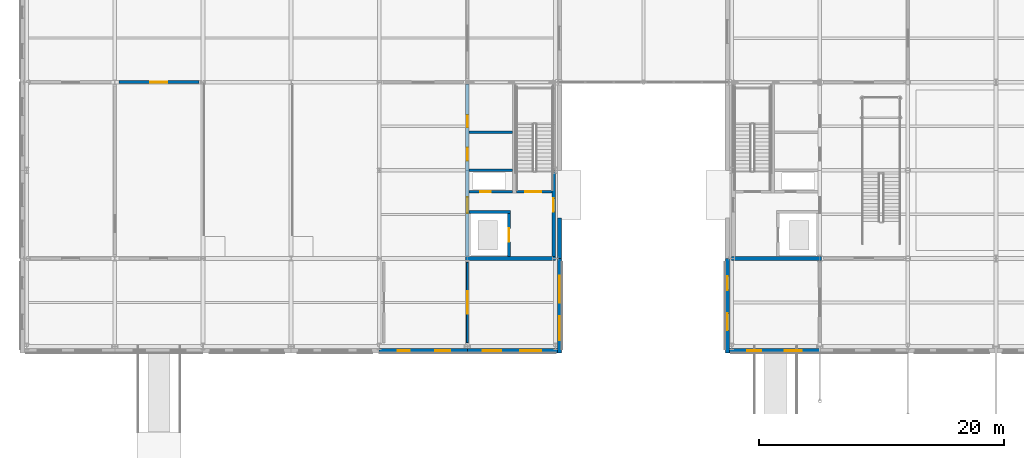
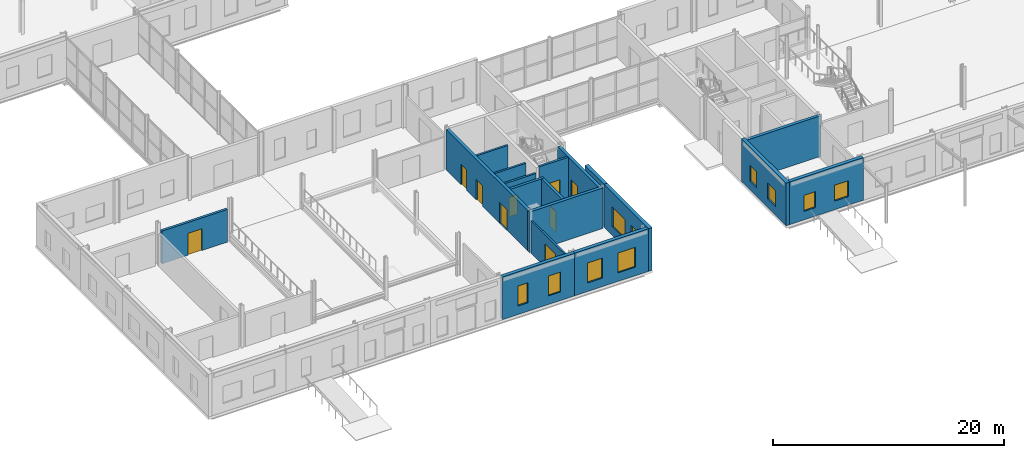
# One storey, part 54 of 92: 18 walls, 10 windows, 9 doors, 19 openings.
"""IFC4 building model written with IfcOpenShell, lengths in metres."""

from ifc_helpers import new_model, si_unit, direction, frame, frame_2d, origin, place, context, subcontext, project, spatial, rectangle, extrude, material, layer, layer_set, type_object, element, fill, save


model = new_model("IFC4")

# Units and contexts
model_context = context("Model", 3, precision=1e-05, world=origin(), true_north=direction((0.0, 1.0)))
body_context = subcontext(model_context, "Body", "Model", "MODEL_VIEW")
ifc_project = project(units=[si_unit("LENGTHUNIT", "METRE"), si_unit("AREAUNIT", "SQUARE_METRE"), si_unit("VOLUMEUNIT", "CUBIC_METRE"), si_unit("PLANEANGLEUNIT", "RADIAN"), si_unit("MASSUNIT", "GRAM", prefix="KILO")], contexts=[model_context])

# Site, building, storey
site_placement = place(None, origin())
site = spatial("IfcSite", under=ifc_project, at=site_placement, CompositionType="ELEMENT")
building_placement = place(site_placement, origin())
building = spatial("IfcBuilding", under=site, at=building_placement, Name="Zlatovets Crest Museum", CompositionType="ELEMENT")
storey_placement = place(building_placement, origin())
storey = spatial("IfcBuildingStorey", under=building, at=storey_placement, Name="L00", CompositionType="ELEMENT", Elevation=0.0)

# Walls
ifc_material_1 = material(Name="Concrete C35/45", Category="concrete")
ifc_layer_1 = layer(ifc_material_1, 0.300048828125)
ifc_layer_set_1 = layer_set([ifc_layer_1], Name="Concrete C35/45")
wall_type_1 = type_object("IfcWallType", Name="CoreWall_SW01", PredefinedType="SHEAR", material=ifc_layer_set_1)
for number, where, z_axis, x_axis, name in (
    (1, (57.60009765625, 7.199951171875, 0.0), (0.0, 0.0, 1.0), (1.0, 0.0, 0.0), "Core C2 L00 South Shear Wall"),
    (2, (35.85009765625, 7.199951171875, 0.0), (0.0, 0.0, 1.0), (1.0, 0.0, 0.0), "Core C3 L00 South Shear Wall"),
):
    element("IfcWall", number, at=place(storey_placement, frame(where, z_axis=z_axis, x_axis=x_axis)), inside=storey, type_object=wall_type_1, Name=name, PredefinedType="SHEAR", context=body_context, shape_type="SweptSolid", body=[
        extrude(rectangle(XDim=7.349853515625, YDim=0.300048828125, at=frame_2d((3.6748046875, 0.0))), origin(), (0.0, 0.0, 1.0), 4.280029296875),
    ])

# Wall, opening, door
wall_1_placement = place(storey_placement, frame((43.050048828125, 7.35009765625, 0.0), z_axis=(0.0, 0.0, 1.0), x_axis=(0.0, 1.0, 0.0)))
wall_1 = element("IfcWall", 3, at=wall_1_placement, inside=storey, type_object=wall_type_1, Name="Core C3 L00 Protected Lobby Exterior Shear Wall", PredefinedType="SHEAR", context=body_context, shape_type="SweptSolid", body=[
    extrude(rectangle(XDim=7.0498046875, YDim=0.300048828125, at=frame_2d((3.52490234375, 0.0))), origin(), (0.0, 0.0, 1.0), 4.280029296875),
])
opening_1_placement = place(wall_1_placement, frame((3.64990234375, 0.0, 0.0)))
opening_1 = element("IfcOpeningElement", 4, at=opening_1_placement, cuts=wall_1, Name="Opening ED-03", PredefinedType="OPENING", context=body_context, shape_type="SweptSolid", body=[
    extrude(rectangle(XDim=1.10009765625, YDim=2.199951171875, at=frame_2d((0.550048828125, 1.10009765625))), frame((0.0, 0.16015625, 0.0), z_axis=(0.0, -1.0, 0.0), x_axis=(1.0, 0.0, 0.0)), (0.0, 0.0, 1.0), 0.320068359375),
])
ifc_material_2 = material(Name="Bronze-clad insulated steel door", Category="steel")
door_type_1 = type_object("IfcDoorType", Name="ExtDoor_ED-03", OperationType="NOTDEFINED", PredefinedType="DOOR", material=ifc_material_2)
door_1_placement = place(opening_1_placement, origin())
door_1 = element("IfcDoor", 5, at=door_1_placement, inside=storey, type_object=door_type_1, Name="ED-ST3-EXIT Stair ST3 Direct Final Exterior Exit Door", OperationType="SINGLE_SWING_LEFT", OverallHeight=2.199951171875, OverallWidth=1.10009765625, PredefinedType="DOOR", context=body_context, shape_type="SweptSolid", body=[
    extrude(rectangle(XDim=1.10009765625, YDim=2.199951171875, at=frame_2d((0.550048828125, 1.10009765625))), frame((0.0, 0.02490234375, 0.0), z_axis=(0.0, -1.0, 0.0), x_axis=(1.0, 0.0, 0.0)), (0.0, 0.0, 1.0), 0.050048828125),
])
fill(opening_1, door_1)

# Wall, openings, doors
wall_2_placement = place(storey_placement, frame((36.0, 7.35009765625, 0.0), z_axis=(0.0, 0.0, 1.0), x_axis=(0.0, 1.0, 0.0)))
wall_2 = element("IfcWall", 6, at=wall_2_placement, inside=storey, type_object=wall_type_1, Name="Core C3 L00 Spine Shear Wall", PredefinedType="SHEAR", context=body_context, shape_type="SweptSolid", body=[
    extrude(rectangle(XDim=14.099853515625, YDim=0.300048828125, at=frame_2d((7.0498046875, 0.0))), origin(), (0.0, 0.0, 1.0), 4.280029296875),
])
opening_2_placement = place(wall_2_placement, frame((3.550048828125, 0.0, 0.0)))
opening_2 = element("IfcOpeningElement", 7, at=opening_2_placement, cuts=wall_2, Name="Opening FD-01", PredefinedType="OPENING", context=body_context, shape_type="SweptSolid", body=[
    extrude(rectangle(XDim=1.300048828125, YDim=2.199951171875, at=frame_2d((0.64990234375, 1.10009765625))), frame((0.0, 0.16015625, 0.0), z_axis=(0.0, -1.0, 0.0), x_axis=(1.0, 0.0, 0.0)), (0.0, 0.0, 1.0), 0.320068359375),
])
opening_3_placement = place(wall_2_placement, frame((7.85009765625, 0.0, 0.0)))
opening_3 = element("IfcOpeningElement", 8, at=opening_3_placement, cuts=wall_2, Name="Opening ID-02", PredefinedType="OPENING", context=body_context, shape_type="SweptSolid", body=[
    extrude(rectangle(XDim=1.050048828125, YDim=2.14990234375, at=frame_2d((0.52490234375, 1.074951171875))), frame((0.0, 0.16015625, 0.0), z_axis=(0.0, -1.0, 0.0), x_axis=(1.0, 0.0, 0.0)), (0.0, 0.0, 1.0), 0.320068359375),
])
opening_4_placement = place(wall_2_placement, frame((10.550048828125, 0.0, 0.0)))
opening_4 = element("IfcOpeningElement", 9, at=opening_4_placement, cuts=wall_2, Name="Opening ID-01", PredefinedType="OPENING", context=body_context, shape_type="SweptSolid", body=[
    extrude(rectangle(XDim=1.0, YDim=2.14990234375, at=frame_2d((0.5, 1.074951171875))), frame((0.0, 0.16015625, 0.0), z_axis=(0.0, -1.0, 0.0), x_axis=(1.0, 0.0, 0.0)), (0.0, 0.0, 1.0), 0.320068359375),
])
ifc_material_3 = material(Name="Smoke-sealed steel fire door", Category="steel")
door_type_2 = type_object("IfcDoorType", Name="IntDoor_FD-01", OperationType="NOTDEFINED", PredefinedType="DOOR", material=ifc_material_3)
door_2_placement = place(opening_2_placement, origin())
door_2 = element("IfcDoor", 10, at=door_2_placement, inside=storey, type_object=door_type_2, Name="CDOOR-C3-L00-LOB Core C3 L00 Lobby Fire Door", OperationType="SINGLE_SWING_RIGHT", OverallHeight=2.199951171875, OverallWidth=1.300048828125, PredefinedType="DOOR", context=body_context, shape_type="SweptSolid", body=[
    extrude(rectangle(XDim=1.300048828125, YDim=2.199951171875, at=frame_2d((0.64990234375, 1.10009765625))), frame((0.0, 0.02490234375, 0.0), z_axis=(0.0, -1.0, 0.0), x_axis=(1.0, 0.0, 0.0)), (0.0, 0.0, 1.0), 0.050048828125),
])
fill(opening_2, door_2)
ifc_material_4 = material(Name="Solid oak museum room door")
door_type_3 = type_object("IfcDoorType", Name="IntDoor_ID-01", OperationType="NOTDEFINED", PredefinedType="DOOR", material=ifc_material_4)
door_3_placement = place(opening_4_placement, origin())
door_3 = element("IfcDoor", 11, at=door_3_placement, inside=storey, type_object=door_type_3, Name="CDOOR-C3-L00-WC Core C3 L00 Public Restroom Door", OperationType="SINGLE_SWING_RIGHT", OverallHeight=2.14990234375, OverallWidth=1.0, PredefinedType="DOOR", context=body_context, shape_type="SweptSolid", body=[
    extrude(rectangle(XDim=1.0, YDim=2.14990234375, at=frame_2d((0.5, 1.074951171875))), frame((0.0, 0.02490234375, 0.0), z_axis=(0.0, -1.0, 0.0), x_axis=(1.0, 0.0, 0.0)), (0.0, 0.0, 1.0), 0.050048828125),
])
fill(opening_4, door_3)
ifc_material_5 = material(Name="Accessible sanitary room door")
door_type_4 = type_object("IfcDoorType", Name="IntDoor_ID-02", OperationType="NOTDEFINED", PredefinedType="DOOR", material=ifc_material_5)
door_4_placement = place(opening_3_placement, origin())
door_4 = element("IfcDoor", 12, at=door_4_placement, inside=storey, type_object=door_type_4, Name="CDOOR-C3-L00-AWC Core C3 L00 Accessible WC Door", OperationType="SINGLE_SWING_LEFT", OverallHeight=2.14990234375, OverallWidth=1.050048828125, PredefinedType="DOOR", context=body_context, shape_type="SweptSolid", body=[
    extrude(rectangle(XDim=1.050048828125, YDim=2.14990234375, at=frame_2d((0.52490234375, 1.074951171875))), frame((0.0, 0.02490234375, 0.0), z_axis=(0.0, -1.0, 0.0), x_axis=(1.0, 0.0, 0.0)), (0.0, 0.0, 1.0), 0.050048828125),
])
fill(opening_3, door_4)

# Wall, opening, door
ifc_layer_2 = layer(ifc_material_1, 0.25)
ifc_layer_set_2 = layer_set([ifc_layer_2], Name="Concrete C35/45")
wall_type_2 = type_object("IfcWallType", Name="CoreWall_SW02", PredefinedType="SHEAR", material=ifc_layer_set_2)
wall_3_placement = place(storey_placement, frame((39.39990234375, 7.35009765625, 0.0), z_axis=(0.0, 0.0, 1.0), x_axis=(0.0, 1.0, 0.0)))
wall_3 = element("IfcWall", 13, at=wall_3_placement, inside=storey, type_object=wall_type_2, Name="Core C3 L00 Lift Shaft Wall", PredefinedType="SHEAR", context=body_context, shape_type="SweptSolid", body=[
    extrude(rectangle(XDim=3.52490234375, YDim=0.25, at=frame_2d((1.762451171875, 0.0))), origin(), (0.0, 0.0, 1.0), 4.280029296875),
])
opening_5_placement = place(wall_3_placement, frame((1.199951171875, 0.0, 0.0)))
opening_5 = element("IfcOpeningElement", 14, at=opening_5_placement, cuts=wall_3, Name="Opening LD-01", PredefinedType="OPENING", context=body_context, shape_type="SweptSolid", body=[
    extrude(rectangle(XDim=1.10009765625, YDim=2.14990234375, at=frame_2d((0.550048828125, 1.074951171875))), frame((0.0, 0.135009765625, 0.0), z_axis=(0.0, -1.0, 0.0), x_axis=(1.0, 0.0, 0.0)), (0.0, 0.0, 1.0), 0.27001953125),
])
ifc_material_6 = material(Name="Stainless-bronze sliding lift landing door")
door_type_5 = type_object("IfcDoorType", Name="IntDoor_LD-01", OperationType="SLIDING_TO_LEFT", PredefinedType="DOOR", material=ifc_material_6)
door_5_placement = place(opening_5_placement, origin())
door_5 = element("IfcDoor", 15, at=door_5_placement, inside=storey, type_object=door_type_5, Name="LDOOR-PL1-L00 Lift PL1 L00 Sliding Landing Door", OperationType="SLIDING_TO_LEFT", OverallHeight=2.14990234375, OverallWidth=1.10009765625, PredefinedType="DOOR", context=body_context, shape_type="SweptSolid", body=[
    extrude(rectangle(XDim=1.10009765625, YDim=2.14990234375, at=frame_2d((0.550048828125, 1.074951171875))), frame((0.0, 0.02490234375, 0.0), z_axis=(0.0, -1.0, 0.0), x_axis=(1.0, 0.0, 0.0)), (0.0, 0.0, 1.0), 0.050048828125),
])
fill(opening_5, door_5)

wall_4_placement = place(storey_placement, frame((40.0, 12.64990234375, 0.0), z_axis=(0.0, 0.0, 1.0), x_axis=(1.0, 0.0, 0.0)))
wall_4 = element("IfcWall", 16, at=wall_4_placement, inside=storey, type_object=wall_type_2, Name="Core C3 L00 Stairwell Fire Wall", PredefinedType="SHEAR", context=body_context, shape_type="SweptSolid", body=[
    extrude(rectangle(XDim=2.89990234375, YDim=0.219970703125, at=frame_2d((1.449951171875, 0.0))), origin(), (0.0, 0.0, 1.0), 4.280029296875),
])
opening_6_placement = place(wall_4_placement, frame((0.75, 0.0, 0.0)))
opening_6 = element("IfcOpeningElement", 17, at=opening_6_placement, cuts=wall_4, Name="Opening FD-01", PredefinedType="OPENING", context=body_context, shape_type="SweptSolid", body=[
    extrude(rectangle(XDim=1.300048828125, YDim=2.199951171875, at=frame_2d((0.64990234375, 1.10009765625))), frame((0.0, 0.1201171875, 0.0), z_axis=(0.0, -1.0, 0.0), x_axis=(1.0, 0.0, 0.0)), (0.0, 0.0, 1.0), 0.239990234375),
])
door_6_placement = place(opening_6_placement, origin())
door_6 = element("IfcDoor", 18, at=door_6_placement, inside=storey, type_object=door_type_2, Name="SDOOR-ST3-L00 Stair ST3 L00 Fire Door", OperationType="SINGLE_SWING_LEFT", OverallHeight=2.199951171875, OverallWidth=1.300048828125, PredefinedType="DOOR", context=body_context, shape_type="SweptSolid", body=[
    extrude(rectangle(XDim=1.300048828125, YDim=2.199951171875, at=frame_2d((0.64990234375, 1.10009765625))), frame((0.0, 0.02490234375, 0.0), z_axis=(0.0, -1.0, 0.0), x_axis=(1.0, 0.0, 0.0)), (0.0, 0.0, 1.0), 0.050048828125),
])
fill(opening_6, door_6)

# Wall
wall_5_placement = place(storey_placement, frame((36.14990234375, 11.0, 0.0), z_axis=(0.0, 0.0, 1.0), x_axis=(1.0, 0.0, 0.0)))
element("IfcWall", 19, at=wall_5_placement, inside=storey, type_object=wall_type_2, Name="Core C3 L00 Lift Shaft North Shear Wall", PredefinedType="SHEAR", context=body_context, shape_type="SweptSolid", body=[
    extrude(rectangle(XDim=3.375, YDim=0.25, at=frame_2d((1.6875, 0.0))), origin(), (0.0, 0.0, 1.0), 4.280029296875),
])

# Wall, openings, windows
ifc_material_7 = material(Name="Vratsa limestone ashlar masonry and mineral wool", Category="masonry")
ifc_layer_3 = layer(ifc_material_7, 0.35009765625)
ifc_layer_set_3 = layer_set([ifc_layer_3], Name="Vratsa limestone ashlar masonry and mineral wool")
wall_type_3 = type_object("IfcWallType", Name="ExtWall_EW-01", PredefinedType="STANDARD", material=ifc_layer_set_3)
wall_6_placement = place(storey_placement, frame((57.43505859375, -0.340087890625, 0.0), z_axis=(0.0, 0.0, 1.0), x_axis=(1.0, 0.0, 0.0)))
wall_6 = element("IfcWall", 20, at=wall_6_placement, inside=storey, type_object=wall_type_3, Name="V2 L00 Vratsa Limestone Plinth Wall", PredefinedType="STANDARD", context=body_context, shape_type="SweptSolid", body=[
    extrude(rectangle(XDim=7.364990234375, YDim=0.35009765625, at=frame_2d((3.6826171875, 0.0))), origin(), (0.0, 0.0, 1.0), 4.5),
])
opening_7_placement = place(wall_6_placement, frame((1.44091796875, 0.0, 0.89990234375)))
opening_7 = element("IfcOpeningElement", 21, at=opening_7_placement, cuts=wall_6, Name="Opening WN-23", PredefinedType="OPENING", context=body_context, shape_type="SweptSolid", body=[
    extrude(rectangle(XDim=1.14990234375, YDim=1.679931640625, at=frame_2d((0.574951171875, 0.83984375))), frame((0.0, 0.18505859375, 0.0), z_axis=(0.0, -1.0, 0.0), x_axis=(1.0, 0.0, 0.0)), (0.0, 0.0, 1.0), 0.3701171875),
])
opening_8_placement = place(wall_6_placement, frame((4.489013671875, 0.0, 0.89990234375)))
opening_8 = element("IfcOpeningElement", 22, at=opening_8_placement, cuts=wall_6, Name="Opening WN-24", PredefinedType="OPENING", context=body_context, shape_type="SweptSolid", body=[
    extrude(rectangle(XDim=1.389892578125, YDim=1.679931640625, at=frame_2d((0.69482421875, 0.83984375))), frame((0.0, 0.18505859375, 0.0), z_axis=(0.0, -1.0, 0.0), x_axis=(1.0, 0.0, 0.0)), (0.0, 0.0, 1.0), 0.3701171875),
])
ifc_material_8 = material(Name="Bronze-anodised aluminium frame with low-E triple glass", Category="aluminium")
window_type_1 = type_object("IfcWindowType", Name="Win_WN-23", PartitioningType="SINGLE_PANEL", PredefinedType="WINDOW", material=ifc_material_8)
window_1_placement = place(opening_7_placement, origin())
window_1 = element("IfcWindow", 23, at=window_1_placement, inside=storey, type_object=window_type_1, Name="V2 L00 Secession Plinth Window WN-23", OverallHeight=1.679931640625, OverallWidth=1.14990234375, PartitioningType="SINGLE_PANEL", PredefinedType="WINDOW", context=body_context, shape_type="SweptSolid", body=[
    extrude(rectangle(XDim=1.14990234375, YDim=1.679931640625, at=frame_2d((0.574951171875, 0.83984375))), frame((0.0, 0.030029296875, 0.0), z_axis=(0.0, -1.0, 0.0), x_axis=(1.0, 0.0, 0.0)), (0.0, 0.0, 1.0), 0.06005859375),
])
fill(opening_7, window_1)
window_type_2 = type_object("IfcWindowType", Name="Win_WN-24", PartitioningType="SINGLE_PANEL", PredefinedType="WINDOW", material=ifc_material_8)
window_2_placement = place(opening_8_placement, origin())
window_2 = element("IfcWindow", 24, at=window_2_placement, inside=storey, type_object=window_type_2, Name="V2 L00 Secession Plinth Window WN-24", OverallHeight=1.679931640625, OverallWidth=1.389892578125, PartitioningType="SINGLE_PANEL", PredefinedType="WINDOW", context=body_context, shape_type="SweptSolid", body=[
    extrude(rectangle(XDim=1.389892578125, YDim=1.679931640625, at=frame_2d((0.69482421875, 0.83984375))), frame((0.0, 0.030029296875, 0.0), z_axis=(0.0, -1.0, 0.0), x_axis=(1.0, 0.0, 0.0)), (0.0, 0.0, 1.0), 0.06005859375),
])
fill(opening_8, window_2)

wall_7_placement = place(storey_placement, frame((57.260009765625, 7.199951171875, 0.0), z_axis=(0.0, 0.0, 1.0), x_axis=(0.0, -1.0, 0.0)))
wall_7 = element("IfcWall", 25, at=wall_7_placement, inside=storey, type_object=wall_type_3, Name="V2 L00 Vratsa Limestone Plinth Wall", PredefinedType="STANDARD", context=body_context, shape_type="SweptSolid", body=[
    extrude(rectangle(XDim=7.71484375, YDim=0.35009765625, at=frame_2d((3.857421875, 0.0))), origin(), (0.0, 0.0, 1.0), 4.5),
])
opening_9_placement = place(wall_7_placement, frame((1.44091796875, 0.0, 0.89990234375)))
opening_9 = element("IfcOpeningElement", 26, at=opening_9_placement, cuts=wall_7, Name="Opening WN-23", PredefinedType="OPENING", context=body_context, shape_type="SweptSolid", body=[
    extrude(rectangle(XDim=1.14990234375, YDim=1.679931640625, at=frame_2d((0.574951171875, 0.83984375))), frame((0.0, 0.18505859375, 0.0), z_axis=(0.0, -1.0, 0.0), x_axis=(1.0, 0.0, 0.0)), (0.0, 0.0, 1.0), 0.3701171875),
])
opening_10_placement = place(wall_7_placement, frame((4.489013671875, 0.0, 0.89990234375)))
opening_10 = element("IfcOpeningElement", 27, at=opening_10_placement, cuts=wall_7, Name="Opening WN-24", PredefinedType="OPENING", context=body_context, shape_type="SweptSolid", body=[
    extrude(rectangle(XDim=1.389892578125, YDim=1.679931640625, at=frame_2d((0.69482421875, 0.83984375))), frame((0.0, 0.18505859375, 0.0), z_axis=(0.0, -1.0, 0.0), x_axis=(1.0, 0.0, 0.0)), (0.0, 0.0, 1.0), 0.3701171875),
])
window_3_placement = place(opening_9_placement, origin())
window_3 = element("IfcWindow", 28, at=window_3_placement, inside=storey, type_object=window_type_1, Name="V2 L00 Secession Plinth Window WN-23", OverallHeight=1.679931640625, OverallWidth=1.14990234375, PartitioningType="SINGLE_PANEL", PredefinedType="WINDOW", context=body_context, shape_type="SweptSolid", body=[
    extrude(rectangle(XDim=1.14990234375, YDim=1.679931640625, at=frame_2d((0.574951171875, 0.83984375))), frame((0.0, 0.030029296875, 0.0), z_axis=(0.0, -1.0, 0.0), x_axis=(1.0, 0.0, 0.0)), (0.0, 0.0, 1.0), 0.06005859375),
])
fill(opening_9, window_3)
window_4_placement = place(opening_10_placement, origin())
window_4 = element("IfcWindow", 29, at=window_4_placement, inside=storey, type_object=window_type_2, Name="V2 L00 Secession Plinth Window WN-24", OverallHeight=1.679931640625, OverallWidth=1.389892578125, PartitioningType="SINGLE_PANEL", PredefinedType="WINDOW", context=body_context, shape_type="SweptSolid", body=[
    extrude(rectangle(XDim=1.389892578125, YDim=1.679931640625, at=frame_2d((0.69482421875, 0.83984375))), frame((0.0, 0.030029296875, 0.0), z_axis=(0.0, -1.0, 0.0), x_axis=(1.0, 0.0, 0.0)), (0.0, 0.0, 1.0), 0.06005859375),
])
fill(opening_10, window_4)

wall_8_placement = place(storey_placement, frame((28.800048828125, -0.340087890625, 0.0), z_axis=(0.0, 0.0, 1.0), x_axis=(1.0, 0.0, 0.0)))
wall_8 = element("IfcWall", 30, at=wall_8_placement, inside=storey, type_object=wall_type_3, Name="V3 L00 Vratsa Limestone Plinth Wall", PredefinedType="STANDARD", context=body_context, shape_type="SweptSolid", body=[
    extrude(rectangle(XDim=7.199951171875, YDim=0.35009765625, at=frame_2d((3.60009765625, 0.0))), origin(), (0.0, 0.0, 1.0), 4.5),
])
opening_11_placement = place(wall_8_placement, frame((1.51611328125, 0.0, 0.89990234375)))
opening_11 = element("IfcOpeningElement", 31, at=opening_11_placement, cuts=wall_8, Name="Opening WN-40", PredefinedType="OPENING", context=body_context, shape_type="SweptSolid", body=[
    extrude(rectangle(XDim=1.0, YDim=2.10009765625, at=frame_2d((0.5, 1.050048828125))), frame((0.0, 0.18505859375, 0.0), z_axis=(0.0, -1.0, 0.0), x_axis=(1.0, 0.0, 0.0)), (0.0, 0.0, 1.0), 0.3701171875),
])
opening_12_placement = place(wall_8_placement, frame((4.56396484375, 0.0, 0.89990234375)))
opening_12 = element("IfcOpeningElement", 32, at=opening_12_placement, cuts=wall_8, Name="Opening WN-41", PredefinedType="OPENING", context=body_context, shape_type="SweptSolid", body=[
    extrude(rectangle(XDim=1.239990234375, YDim=2.10009765625, at=frame_2d((0.6201171875, 1.050048828125))), frame((0.0, 0.18505859375, 0.0), z_axis=(0.0, -1.0, 0.0), x_axis=(1.0, 0.0, 0.0)), (0.0, 0.0, 1.0), 0.3701171875),
])
window_type_3 = type_object("IfcWindowType", Name="Win_WN-40", PartitioningType="SINGLE_PANEL", PredefinedType="WINDOW", material=ifc_material_8)
window_5_placement = place(opening_11_placement, origin())
window_5 = element("IfcWindow", 33, at=window_5_placement, inside=storey, type_object=window_type_3, Name="V3 L00 Secession Plinth Window WN-40", OverallHeight=2.10009765625, OverallWidth=1.0, PartitioningType="SINGLE_PANEL", PredefinedType="WINDOW", context=body_context, shape_type="SweptSolid", body=[
    extrude(rectangle(XDim=1.0, YDim=2.10009765625, at=frame_2d((0.5, 1.050048828125))), frame((0.0, 0.030029296875, 0.0), z_axis=(0.0, -1.0, 0.0), x_axis=(1.0, 0.0, 0.0)), (0.0, 0.0, 1.0), 0.06005859375),
])
fill(opening_11, window_5)
window_type_4 = type_object("IfcWindowType", Name="Win_WN-41", PartitioningType="SINGLE_PANEL", PredefinedType="WINDOW", material=ifc_material_8)
window_6_placement = place(opening_12_placement, origin())
window_6 = element("IfcWindow", 34, at=window_6_placement, inside=storey, type_object=window_type_4, Name="V3 L00 Secession Plinth Window WN-41", OverallHeight=2.10009765625, OverallWidth=1.239990234375, PartitioningType="SINGLE_PANEL", PredefinedType="WINDOW", context=body_context, shape_type="SweptSolid", body=[
    extrude(rectangle(XDim=1.239990234375, YDim=2.10009765625, at=frame_2d((0.6201171875, 1.050048828125))), frame((0.0, 0.030029296875, 0.0), z_axis=(0.0, -1.0, 0.0), x_axis=(1.0, 0.0, 0.0)), (0.0, 0.0, 1.0), 0.06005859375),
])
fill(opening_12, window_6)

wall_9_placement = place(storey_placement, frame((36.0, -0.340087890625, 0.0), z_axis=(0.0, 0.0, 1.0), x_axis=(1.0, 0.0, 0.0)))
wall_9 = element("IfcWall", 35, at=wall_9_placement, inside=storey, type_object=wall_type_3, Name="V3 L00 Vratsa Limestone Plinth Wall", PredefinedType="STANDARD", context=body_context, shape_type="SweptSolid", body=[
    extrude(rectangle(XDim=7.364990234375, YDim=0.35009765625, at=frame_2d((3.6826171875, 0.0))), origin(), (0.0, 0.0, 1.0), 4.5),
])
opening_13_placement = place(wall_9_placement, frame((1.27587890625, 0.0, 0.89990234375)))
opening_13 = element("IfcOpeningElement", 36, at=opening_13_placement, cuts=wall_9, Name="Opening WN-42", PredefinedType="OPENING", context=body_context, shape_type="SweptSolid", body=[
    extrude(rectangle(XDim=1.47998046875, YDim=2.10009765625, at=frame_2d((0.739990234375, 1.050048828125))), frame((0.0, 0.18505859375, 0.0), z_axis=(0.0, -1.0, 0.0), x_axis=(1.0, 0.0, 0.0)), (0.0, 0.0, 1.0), 0.3701171875),
])
opening_14_placement = place(wall_9_placement, frame((4.323974609375, 0.0, 0.89990234375)))
opening_14 = element("IfcOpeningElement", 37, at=opening_14_placement, cuts=wall_9, Name="Opening WN-43", PredefinedType="OPENING", context=body_context, shape_type="SweptSolid", body=[
    extrude(rectangle(XDim=1.719970703125, YDim=2.10009765625, at=frame_2d((0.85986328125, 1.050048828125))), frame((0.0, 0.18505859375, 0.0), z_axis=(0.0, -1.0, 0.0), x_axis=(1.0, 0.0, 0.0)), (0.0, 0.0, 1.0), 0.3701171875),
])
window_type_5 = type_object("IfcWindowType", Name="Win_WN-42", PartitioningType="SINGLE_PANEL", PredefinedType="WINDOW", material=ifc_material_8)
window_7_placement = place(opening_13_placement, origin())
window_7 = element("IfcWindow", 38, at=window_7_placement, inside=storey, type_object=window_type_5, Name="V3 L00 Secession Plinth Window WN-42", OverallHeight=2.10009765625, OverallWidth=1.47998046875, PartitioningType="SINGLE_PANEL", PredefinedType="WINDOW", context=body_context, shape_type="SweptSolid", body=[
    extrude(rectangle(XDim=1.47998046875, YDim=2.10009765625, at=frame_2d((0.739990234375, 1.050048828125))), frame((0.0, 0.030029296875, 0.0), z_axis=(0.0, -1.0, 0.0), x_axis=(1.0, 0.0, 0.0)), (0.0, 0.0, 1.0), 0.06005859375),
])
fill(opening_13, window_7)
window_type_6 = type_object("IfcWindowType", Name="Win_WN-43", PartitioningType="SINGLE_PANEL", PredefinedType="WINDOW", material=ifc_material_8)
window_8_placement = place(opening_14_placement, origin())
window_8 = element("IfcWindow", 39, at=window_8_placement, inside=storey, type_object=window_type_6, Name="V3 L00 Secession Plinth Window WN-43", OverallHeight=2.10009765625, OverallWidth=1.719970703125, PartitioningType="SINGLE_PANEL", PredefinedType="WINDOW", context=body_context, shape_type="SweptSolid", body=[
    extrude(rectangle(XDim=1.719970703125, YDim=2.10009765625, at=frame_2d((0.85986328125, 1.050048828125))), frame((0.0, 0.030029296875, 0.0), z_axis=(0.0, -1.0, 0.0), x_axis=(1.0, 0.0, 0.0)), (0.0, 0.0, 1.0), 0.06005859375),
])
fill(opening_14, window_8)

wall_10_placement = place(storey_placement, frame((43.5400390625, -0.514892578125, 0.0), z_axis=(0.0, 0.0, 1.0), x_axis=(0.0, 1.0, 0.0)))
wall_10 = element("IfcWall", 40, at=wall_10_placement, inside=storey, type_object=wall_type_3, Name="V3 L00 Vratsa Limestone Plinth Wall", PredefinedType="STANDARD", context=body_context, shape_type="SweptSolid", body=[
    extrude(rectangle(XDim=7.71484375, YDim=0.35009765625, at=frame_2d((3.857421875, 0.0))), origin(), (0.0, 0.0, 1.0), 4.5),
])
opening_15_placement = place(wall_10_placement, frame((1.035888671875, 0.0, 0.89990234375)))
opening_15 = element("IfcOpeningElement", 41, at=opening_15_placement, cuts=wall_10, Name="Opening WN-44", PredefinedType="OPENING", context=body_context, shape_type="SweptSolid", body=[
    extrude(rectangle(XDim=1.9599609375, YDim=2.10009765625, at=frame_2d((0.97998046875, 1.050048828125))), frame((0.0, 0.18505859375, 0.0), z_axis=(0.0, -1.0, 0.0), x_axis=(1.0, 0.0, 0.0)), (0.0, 0.0, 1.0), 0.3701171875),
])
opening_16_placement = place(wall_10_placement, frame((4.083984375, 0.0, 0.89990234375)))
opening_16 = element("IfcOpeningElement", 42, at=opening_16_placement, cuts=wall_10, Name="Opening WN-45", PredefinedType="OPENING", context=body_context, shape_type="SweptSolid", body=[
    extrude(rectangle(XDim=2.199951171875, YDim=2.10009765625, at=frame_2d((1.10009765625, 1.050048828125))), frame((0.0, 0.18505859375, 0.0), z_axis=(0.0, -1.0, 0.0), x_axis=(1.0, 0.0, 0.0)), (0.0, 0.0, 1.0), 0.3701171875),
])
window_type_7 = type_object("IfcWindowType", Name="Win_WN-44", PartitioningType="SINGLE_PANEL", PredefinedType="WINDOW", material=ifc_material_8)
window_9_placement = place(opening_15_placement, origin())
window_9 = element("IfcWindow", 43, at=window_9_placement, inside=storey, type_object=window_type_7, Name="V3 L00 Secession Plinth Window WN-44", OverallHeight=2.10009765625, OverallWidth=1.9599609375, PartitioningType="SINGLE_PANEL", PredefinedType="WINDOW", context=body_context, shape_type="SweptSolid", body=[
    extrude(rectangle(XDim=1.9599609375, YDim=2.10009765625, at=frame_2d((0.97998046875, 1.050048828125))), frame((0.0, 0.030029296875, 0.0), z_axis=(0.0, -1.0, 0.0), x_axis=(1.0, 0.0, 0.0)), (0.0, 0.0, 1.0), 0.06005859375),
])
fill(opening_15, window_9)
window_type_8 = type_object("IfcWindowType", Name="Win_WN-45", PartitioningType="SINGLE_PANEL", PredefinedType="WINDOW", material=ifc_material_8)
window_10_placement = place(opening_16_placement, origin())
window_10 = element("IfcWindow", 44, at=window_10_placement, inside=storey, type_object=window_type_8, Name="V3 L00 Secession Plinth Window WN-45", OverallHeight=2.10009765625, OverallWidth=2.199951171875, PartitioningType="SINGLE_PANEL", PredefinedType="WINDOW", context=body_context, shape_type="SweptSolid", body=[
    extrude(rectangle(XDim=2.199951171875, YDim=2.10009765625, at=frame_2d((1.10009765625, 1.050048828125))), frame((0.0, 0.030029296875, 0.0), z_axis=(0.0, -1.0, 0.0), x_axis=(1.0, 0.0, 0.0)), (0.0, 0.0, 1.0), 0.06005859375),
])
fill(opening_16, window_10)

# Wall
wall_11_placement = place(storey_placement, frame((43.5400390625, 7.199951171875, 0.0), z_axis=(0.0, 0.0, 1.0), x_axis=(0.0, 1.0, 0.0)))
element("IfcWall", 45, at=wall_11_placement, inside=storey, type_object=wall_type_3, Name="V3 L00 Vratsa Limestone Core Plinth", PredefinedType="STANDARD", context=body_context, shape_type="SweptSolid", body=[
    extrude(rectangle(XDim=3.300048828125, YDim=0.35009765625, at=frame_2d((1.64990234375, 0.0))), origin(), (0.0, 0.0, 1.0), 4.5),
])

# Wall, opening, door
ifc_material_9 = material(Name="Acoustic museum gallery stud partition")
ifc_layer_4 = layer(ifc_material_9, 0.159912109375)
ifc_layer_set_4 = layer_set([ifc_layer_4], Name="Acoustic museum gallery stud partition")
wall_type_4 = type_object("IfcWallType", Name="PartWall_PT-02", PredefinedType="PARTITIONING", material=ifc_layer_set_4)
wall_12_placement = place(storey_placement, frame((36.0, 0.320068359375, 0.0), z_axis=(0.0, 0.0, 1.0), x_axis=(0.0, 1.0, 0.0)))
wall_12 = element("IfcWall", 46, at=wall_12_placement, inside=storey, type_object=wall_type_4, Name="V3 L00 Interior Partition PT-02", PredefinedType="PARTITIONING", context=body_context, shape_type="SweptSolid", body=[
    extrude(rectangle(XDim=6.559814453125, YDim=0.159912109375, at=frame_2d((3.27978515625, 0.0))), origin(), (0.0, 0.0, 1.0), 3.449951171875),
])
opening_17_placement = place(wall_12_placement, frame((2.35498046875, 0.0, 0.0)))
opening_17 = element("IfcOpeningElement", 47, at=opening_17_placement, cuts=wall_12, Name="Opening ID-15", PredefinedType="OPENING", context=body_context, shape_type="SweptSolid", body=[
    extrude(rectangle(XDim=1.85009765625, YDim=2.5, at=frame_2d((0.925048828125, 1.25))), frame((0.0, 0.08984375, 0.0), z_axis=(0.0, -1.0, 0.0), x_axis=(1.0, 0.0, 0.0)), (0.0, 0.0, 1.0), 0.179931640625),
])
ifc_material_10 = material(Name="Painting gallery enfilade portal")
door_type_6 = type_object("IfcDoorType", Name="IntDoor_ID-15", OperationType="DOUBLE_DOOR_SINGLE_SWING", PredefinedType="DOOR", material=ifc_material_10)
door_7_placement = place(opening_17_placement, origin())
door_7 = element("IfcDoor", 48, at=door_7_placement, inside=storey, type_object=door_type_6, Name="IDOOR-V3-L00-0071 Forecourt Museum Cafe to Cafe Servery Bar Door", OperationType="DOUBLE_DOOR_SINGLE_SWING", OverallHeight=2.5, OverallWidth=1.85009765625, PredefinedType="DOOR", context=body_context, shape_type="SweptSolid", body=[
    extrude(rectangle(XDim=1.85009765625, YDim=2.5, at=frame_2d((0.925048828125, 1.25))), frame((0.0, 0.02490234375, 0.0), z_axis=(0.0, -1.0, 0.0), x_axis=(1.0, 0.0, 0.0)), (0.0, 0.0, 1.0), 0.050048828125),
])
fill(opening_17, door_7)

ifc_material_11 = material(Name="Double-stud auditorium acoustic partition")
ifc_layer_5 = layer(ifc_material_11, 0.239990234375)
ifc_layer_set_5 = layer_set([ifc_layer_5], Name="Double-stud auditorium acoustic partition")
wall_type_5 = type_object("IfcWallType", Name="PartWall_PT-03", PredefinedType="PARTITIONING", material=ifc_layer_set_5)
wall_13_placement = place(storey_placement, frame((7.52001953125, 21.60009765625, 0.0), z_axis=(0.0, 0.0, 1.0), x_axis=(1.0, 0.0, 0.0)))
wall_13 = element("IfcWall", 49, at=wall_13_placement, inside=storey, type_object=wall_type_5, Name="V3 L00 Interior Partition PT-03", PredefinedType="PARTITIONING", context=body_context, shape_type="SweptSolid", body=[
    extrude(rectangle(XDim=6.56005859375, YDim=0.239990234375, at=frame_2d((3.280029296875, 0.0))), origin(), (0.0, 0.0, 1.0), 3.449951171875),
])
opening_18_placement = place(wall_13_placement, frame((2.580078125, 0.0, 0.0)))
opening_18 = element("IfcOpeningElement", 50, at=opening_18_placement, cuts=wall_13, Name="Opening ID-06", PredefinedType="OPENING", context=body_context, shape_type="SweptSolid", body=[
    extrude(rectangle(XDim=1.39990234375, YDim=2.300048828125, at=frame_2d((0.699951171875, 1.14990234375))), frame((0.0, 0.1298828125, 0.0), z_axis=(0.0, -1.0, 0.0), x_axis=(1.0, 0.0, 0.0)), (0.0, 0.0, 1.0), 0.260009765625),
])
ifc_material_12 = material(Name="Auditorium acoustic vestibule double door")
door_type_7 = type_object("IfcDoorType", Name="IntDoor_ID-06", OperationType="DOUBLE_DOOR_SINGLE_SWING", PredefinedType="DOOR", material=ifc_material_12)
door_8_placement = place(opening_18_placement, origin())
door_8 = element("IfcDoor", 51, at=door_8_placement, inside=storey, type_object=door_type_7, Name="IDOOR-V3-L00-0066 Auditorium Stalls to Community Heritage Room Door", OperationType="DOUBLE_DOOR_SINGLE_SWING", OverallHeight=2.300048828125, OverallWidth=1.39990234375, PredefinedType="DOOR", context=body_context, shape_type="SweptSolid", body=[
    extrude(rectangle(XDim=1.39990234375, YDim=2.300048828125, at=frame_2d((0.699951171875, 1.14990234375))), frame((0.0, 0.02490234375, 0.0), z_axis=(0.0, -1.0, 0.0), x_axis=(1.0, 0.0, 0.0)), (0.0, 0.0, 1.0), 0.050048828125),
])
fill(opening_18, door_8)

ifc_material_13 = material(Name="Sanitary core acoustic service wall")
ifc_layer_6 = layer(ifc_material_13, 0.219970703125)
ifc_layer_set_6 = layer_set([ifc_layer_6], Name="Sanitary core acoustic service wall")
wall_type_6 = type_object("IfcWallType", Name="PartWall_PT-04", PredefinedType="PLUMBINGWALL", material=ifc_layer_set_6)
wall_14_placement = place(storey_placement, frame((36.14990234375, 12.64990234375, 0.0), z_axis=(0.0, 0.0, 1.0), x_axis=(1.0, 0.0, 0.0)))
wall_14 = element("IfcWall", 52, at=wall_14_placement, inside=storey, type_object=wall_type_6, Name="Core C3 L00 Riser Lobby Wall", PredefinedType="PLUMBINGWALL", context=body_context, shape_type="SweptSolid", body=[
    extrude(rectangle(XDim=3.550048828125, YDim=0.199951171875, at=frame_2d((1.77490234375, 0.0))), origin(), (0.0, 0.0, 1.0), 3.699951171875),
])
opening_19_placement = place(wall_14_placement, frame((0.89990234375, 0.0, 0.0)))
opening_19 = element("IfcOpeningElement", 53, at=opening_19_placement, cuts=wall_14, Name="Opening FD-03", PredefinedType="OPENING", context=body_context, shape_type="SweptSolid", body=[
    extrude(rectangle(XDim=0.85009765625, YDim=2.050048828125, at=frame_2d((0.425048828125, 1.02490234375))), frame((0.0, 0.10986328125, 0.0), z_axis=(0.0, -1.0, 0.0), x_axis=(1.0, 0.0, 0.0)), (0.0, 0.0, 1.0), 0.219970703125),
])
ifc_material_14 = material(Name="Steel riser shaft access fire door", Category="steel")
door_type_8 = type_object("IfcDoorType", Name="IntDoor_FD-03", OperationType="NOTDEFINED", PredefinedType="TRAPDOOR", material=ifc_material_14)
door_9_placement = place(opening_19_placement, origin())
door_9 = element("IfcDoor", 54, at=door_9_placement, inside=storey, type_object=door_type_8, Name="CDOOR-C3-L00-RIS Core C3 L00 Riser Access Door", OperationType="SINGLE_SWING_RIGHT", OverallHeight=2.050048828125, OverallWidth=0.85009765625, PredefinedType="TRAPDOOR", context=body_context, shape_type="SweptSolid", body=[
    extrude(rectangle(XDim=0.85009765625, YDim=2.050048828125, at=frame_2d((0.425048828125, 1.02490234375))), frame((0.0, 0.02490234375, 0.0), z_axis=(0.0, -1.0, 0.0), x_axis=(1.0, 0.0, 0.0)), (0.0, 0.0, 1.0), 0.050048828125),
])
fill(opening_19, door_9)

# Walls
for number, where, z_axis, x_axis, name in (
    (55, (36.14990234375, 14.39990234375, 0.0), (0.0, 0.0, 1.0), (1.0, 0.0, 0.0), "Core C3 L00 Sanitary Divider"),
    (56, (36.14990234375, 17.5, 0.0), (0.0, 0.0, 1.0), (1.0, 0.0, 0.0), "Core C3 L00 Sanitary Divider"),
):
    element("IfcWall", number, at=place(storey_placement, frame(where, z_axis=z_axis, x_axis=x_axis)), inside=storey, type_object=wall_type_6, Name=name, PredefinedType="PLUMBINGWALL", context=body_context, shape_type="SweptSolid", body=[
        extrude(rectangle(XDim=3.550048828125, YDim=0.199951171875, at=frame_2d((1.77490234375, 0.0))), origin(), (0.0, 0.0, 1.0), 3.699951171875),
    ])

save(model, "model.ifc")
